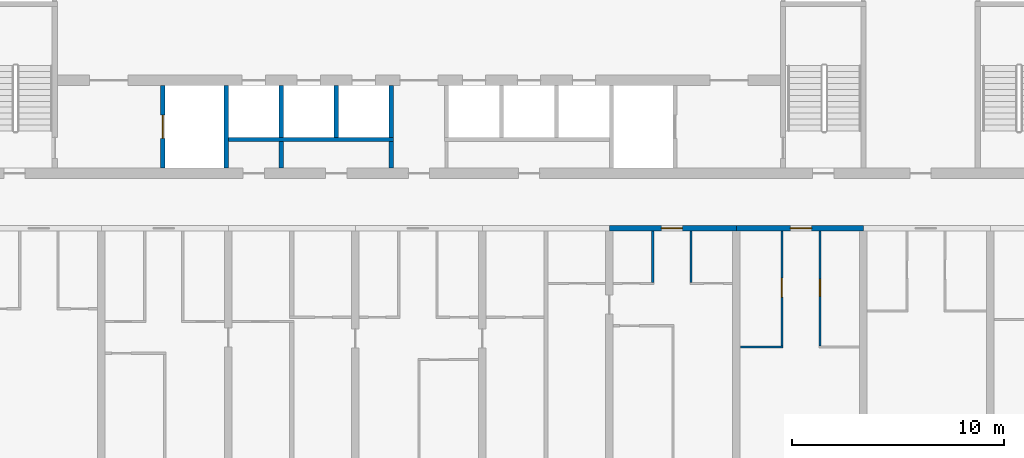
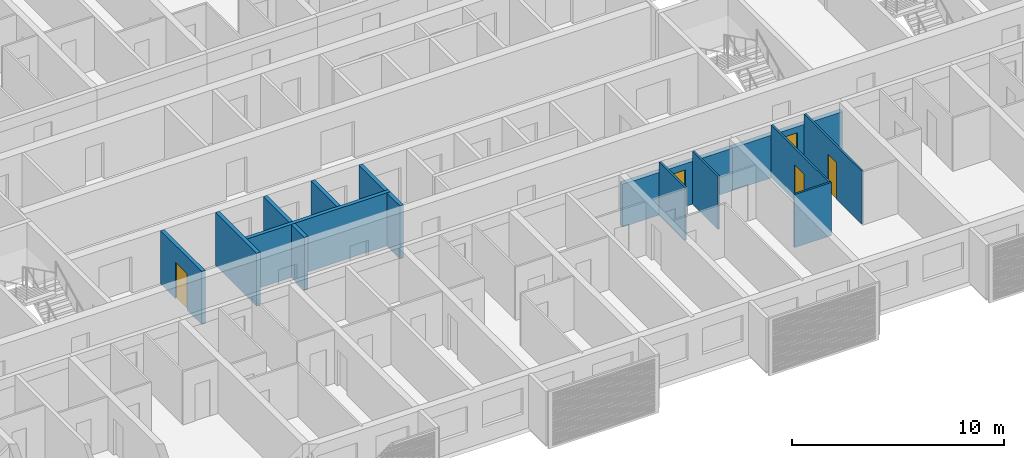
# One storey, part 6 of 27: 15 walls, 5 doors, 5 openings.
"""IFC4 building model written with IfcOpenShell, lengths in metres."""

from ifc_helpers import new_model, si_unit, direction, frame, frame_2d, origin, place, context, subcontext, project, spatial, rectangle, extrude, material, layer, layer_set, type_object, element, fill, save


model = new_model("IFC4")

# Units and contexts
model_context = context("Model", 3, precision=1e-05, world=origin(), true_north=direction((0.0, 1.0)))
body_context = subcontext(model_context, "Body", "Model", "MODEL_VIEW")
ifc_project = project(units=[si_unit("LENGTHUNIT", "METRE"), si_unit("AREAUNIT", "SQUARE_METRE"), si_unit("VOLUMEUNIT", "CUBIC_METRE"), si_unit("PLANEANGLEUNIT", "RADIAN"), si_unit("MASSUNIT", "GRAM", prefix="KILO")], contexts=[model_context])

# Site, building, storey
site_placement = place(None, origin())
site = spatial("IfcSite", under=ifc_project, at=site_placement, CompositionType="ELEMENT")
building_placement = place(site_placement, origin())
building = spatial("IfcBuilding", under=site, at=building_placement, Name="Poui Terraces", CompositionType="ELEMENT")
storey_placement = place(building_placement, frame((0.0, 0.0, 92.699951171875)))
storey = spatial("IfcBuildingStorey", under=building, at=storey_placement, Name="L25", CompositionType="ELEMENT", Elevation=92.699951171875)

# Wall, opening, door
ifc_material_1 = material(Name="Concrete 65 MPa", Category="concrete")
ifc_layer_1 = layer(ifc_material_1, 0.25)
ifc_layer_set_1 = layer_set([ifc_layer_1], Name="Concrete 65 MPa")
wall_type_1 = type_object("IfcWallType", Name="CORRIDOR WALL 250 65MPa", PredefinedType="SHEAR", material=ifc_layer_set_1)
wall_1_placement = place(storey_placement, frame((60.0, 12.0, 0.0), z_axis=(0.0, 0.0, 1.0), x_axis=(1.0, 0.0, 0.0)))
wall_1 = element("IfcWall", 1, at=wall_1_placement, inside=storey, type_object=wall_type_1, Name="CORRIDOR WALL LINE B BAY 10", PredefinedType="SHEAR", context=body_context, shape_type="SweptSolid", body=[
    extrude(rectangle(XDim=6.0, YDim=0.25, at=frame_2d((3.0, 0.0))), origin(), (0.0, 0.0, 1.0), 2.4599609375),
])
opening_1_placement = place(wall_1_placement, frame((2.449951171875, 0.0, 0.0)))
opening_1 = element("IfcOpeningElement", 2, at=opening_1_placement, cuts=wall_1, Name="Opening FD30S", PredefinedType="OPENING", context=body_context, shape_type="SweptSolid", body=[
    extrude(rectangle(XDim=1.0, YDim=2.10009765625, at=frame_2d((0.5, 1.050048828125))), frame((0.0, 0.135009765625, 0.0), z_axis=(0.0, -1.0, 0.0), x_axis=(1.0, 0.0, 0.0)), (0.0, 0.0, 1.0), 0.27001953125),
])
ifc_material_2 = material(Name="Steel fire door", Category="steel")
door_type_1 = type_object("IfcDoorType", Name="FLAT ENTRANCE DOOR 1000 X 2100", OperationType="NOTDEFINED", PredefinedType="DOOR", material=ifc_material_2)
door_1_placement = place(opening_1_placement, frame((1.0, 0.0, 0.0), z_axis=(0.0, 0.0, 1.0), x_axis=(-1.0, 0.0, 0.0)))
door_1 = element("IfcDoor", 3, at=door_1_placement, inside=storey, type_object=door_type_1, Name="FLAT ENTRANCE DOOR 116", OperationType="SINGLE_SWING_RIGHT", OverallHeight=2.10009765625, OverallWidth=1.0, PredefinedType="DOOR", context=body_context, shape_type="SweptSolid", body=[
    extrude(rectangle(XDim=1.0, YDim=2.10009765625, at=frame_2d((0.5, 1.050048828125))), frame((0.0, 0.02490234375, 0.0), z_axis=(0.0, -1.0, 0.0), x_axis=(1.0, 0.0, 0.0)), (0.0, 0.0, 1.0), 0.050048828125),
])
fill(opening_1, door_1)

wall_2_placement = place(storey_placement, frame((66.0, 12.0, 0.0), z_axis=(0.0, 0.0, 1.0), x_axis=(1.0, 0.0, 0.0)))
wall_2 = element("IfcWall", 4, at=wall_2_placement, inside=storey, type_object=wall_type_1, Name="CORRIDOR WALL LINE B BAY 11", PredefinedType="SHEAR", context=body_context, shape_type="SweptSolid", body=[
    extrude(rectangle(XDim=6.0, YDim=0.25, at=frame_2d((3.0, 0.0))), origin(), (0.0, 0.0, 1.0), 2.4599609375),
])
opening_2_placement = place(wall_2_placement, frame((2.550048828125, 0.0, 0.0)))
opening_2 = element("IfcOpeningElement", 5, at=opening_2_placement, cuts=wall_2, Name="Opening FD30S", PredefinedType="OPENING", context=body_context, shape_type="SweptSolid", body=[
    extrude(rectangle(XDim=1.0, YDim=2.10009765625, at=frame_2d((0.5, 1.050048828125))), frame((0.0, 0.135009765625, 0.0), z_axis=(0.0, -1.0, 0.0), x_axis=(1.0, 0.0, 0.0)), (0.0, 0.0, 1.0), 0.27001953125),
])
door_2_placement = place(opening_2_placement, frame((1.0, 0.0, 0.0), z_axis=(0.0, 0.0, 1.0), x_axis=(-1.0, 0.0, 0.0)))
door_2 = element("IfcDoor", 6, at=door_2_placement, inside=storey, type_object=door_type_1, Name="FLAT ENTRANCE DOOR 119", OperationType="SINGLE_SWING_LEFT", OverallHeight=2.10009765625, OverallWidth=1.0, PredefinedType="DOOR", context=body_context, shape_type="SweptSolid", body=[
    extrude(rectangle(XDim=1.0, YDim=2.10009765625, at=frame_2d((0.5, 1.050048828125))), frame((0.0, 0.02490234375, 0.0), z_axis=(0.0, -1.0, 0.0), x_axis=(1.0, 0.0, 0.0)), (0.0, 0.0, 1.0), 0.050048828125),
])
fill(opening_2, door_2)

# Walls
ifc_material_3 = material(Name="Plasterboard partition")
ifc_layer_2 = layer(ifc_material_3, 0.10009765625)
ifc_layer_set_2 = layer_set([ifc_layer_2], Name="Plasterboard partition")
wall_type_2 = type_object("IfcWallType", Name="FLAT PARTITION 100", PredefinedType="PARTITIONING", material=ifc_layer_set_2)
wall_3_placement = place(storey_placement, frame((66.18505859375, 6.39990234375, 0.0), z_axis=(0.0, 0.0, 1.0), x_axis=(1.0, 0.0, 0.0)))
element("IfcWall", 7, at=wall_3_placement, inside=storey, type_object=wall_type_2, Name="FLAT PARTITION 100", PredefinedType="PARTITIONING", context=body_context, shape_type="SweptSolid", body=[
    extrude(rectangle(XDim=2.014892578125, YDim=0.10009765625, at=frame_2d((1.00732421875, 0.0))), origin(), (0.0, 0.0, 1.0), 3.06005859375),
])
for number, where, z_axis, x_axis, name in (
    (8, (62.050048828125, 9.449951171875, 0.0), (0.0, 0.0, 1.0), (0.0, 1.0, 0.0), "FLAT PARTITION 100"),
    (9, (63.85009765625, 9.449951171875, 0.0), (0.0, 0.0, 1.0), (0.0, 1.0, 0.0), "FLAT PARTITION 100"),
):
    element("IfcWall", number, at=place(storey_placement, frame(where, z_axis=z_axis, x_axis=x_axis)), inside=storey, type_object=wall_type_2, Name=name, PredefinedType="PARTITIONING", context=body_context, shape_type="SweptSolid", body=[
        extrude(rectangle(XDim=2.4150390625, YDim=0.10009765625, at=frame_2d((1.20751953125, 0.0))), origin(), (0.0, 0.0, 1.0), 3.06005859375),
    ])

# Wall, opening, door
wall_4_placement = place(storey_placement, frame((68.14990234375, 6.449951171875, 0.0), z_axis=(0.0, 0.0, 1.0), x_axis=(0.0, 1.0, 0.0)))
wall_4 = element("IfcWall", 10, at=wall_4_placement, inside=storey, type_object=wall_type_2, Name="FLAT PARTITION 100", PredefinedType="PARTITIONING", context=body_context, shape_type="SweptSolid", body=[
    extrude(rectangle(XDim=5.4150390625, YDim=0.10009765625, at=frame_2d((2.70751953125, 0.0))), origin(), (0.0, 0.0, 1.0), 3.06005859375),
])
opening_3_placement = place(wall_4_placement, frame((2.300048828125, 0.0, 0.0)))
opening_3 = element("IfcOpeningElement", 11, at=opening_3_placement, cuts=wall_4, Name="Opening D90", PredefinedType="OPENING", context=body_context, shape_type="SweptSolid", body=[
    extrude(rectangle(XDim=0.89990234375, YDim=2.10009765625, at=frame_2d((0.449951171875, 1.050048828125))), frame((0.0, 0.06005859375, 0.0), z_axis=(0.0, -1.0, 0.0), x_axis=(1.0, 0.0, 0.0)), (0.0, 0.0, 1.0), 0.1201171875),
])
ifc_material_4 = material(Name="Solid core timber door", Category="wood")
door_type_2 = type_object("IfcDoorType", Name="INTERNAL DOOR 900 X 2100", OperationType="NOTDEFINED", PredefinedType="DOOR", material=ifc_material_4)
door_3_placement = place(opening_3_placement, origin())
door_3 = element("IfcDoor", 12, at=door_3_placement, inside=storey, type_object=door_type_2, Name="INTERNAL DOOR 118", OperationType="SINGLE_SWING_LEFT", OverallHeight=2.10009765625, OverallWidth=0.89990234375, PredefinedType="DOOR", context=body_context, shape_type="SweptSolid", body=[
    extrude(rectangle(XDim=0.89990234375, YDim=2.10009765625, at=frame_2d((0.449951171875, 1.050048828125))), frame((0.0, 0.02490234375, 0.0), z_axis=(0.0, -1.0, 0.0), x_axis=(1.0, 0.0, 0.0)), (0.0, 0.0, 1.0), 0.050048828125),
])
fill(opening_3, door_3)

wall_5_placement = place(storey_placement, frame((69.949951171875, 6.449951171875, 0.0), z_axis=(0.0, 0.0, 1.0), x_axis=(0.0, 1.0, 0.0)))
wall_5 = element("IfcWall", 13, at=wall_5_placement, inside=storey, type_object=wall_type_2, Name="FLAT PARTITION 100", PredefinedType="PARTITIONING", context=body_context, shape_type="SweptSolid", body=[
    extrude(rectangle(XDim=5.4150390625, YDim=0.10009765625, at=frame_2d((2.70751953125, 0.0))), origin(), (0.0, 0.0, 1.0), 3.06005859375),
])
opening_4_placement = place(wall_5_placement, frame((2.35009765625, 0.0, 0.0)))
opening_4 = element("IfcOpeningElement", 14, at=opening_4_placement, cuts=wall_5, Name="Opening D80", PredefinedType="OPENING", context=body_context, shape_type="SweptSolid", body=[
    extrude(rectangle(XDim=0.800048828125, YDim=2.10009765625, at=frame_2d((0.39990234375, 1.050048828125))), frame((0.0, 0.06005859375, 0.0), z_axis=(0.0, -1.0, 0.0), x_axis=(1.0, 0.0, 0.0)), (0.0, 0.0, 1.0), 0.1201171875),
])
door_type_3 = type_object("IfcDoorType", Name="BATHROOM, LAUNDRY AND STORE DOOR 800 X 2100", OperationType="NOTDEFINED", PredefinedType="DOOR", material=ifc_material_4)
door_4_placement = place(opening_4_placement, frame((0.800048828125, 0.0, 0.0), z_axis=(0.0, 0.0, 1.0), x_axis=(-1.0, 0.0, 0.0)))
door_4 = element("IfcDoor", 15, at=door_4_placement, inside=storey, type_object=door_type_3, Name="BATHROOM, LAUNDRY AND STORE DOOR 120", OperationType="SINGLE_SWING_LEFT", OverallHeight=2.10009765625, OverallWidth=0.800048828125, PredefinedType="DOOR", context=body_context, shape_type="SweptSolid", body=[
    extrude(rectangle(XDim=0.800048828125, YDim=2.10009765625, at=frame_2d((0.39990234375, 1.050048828125))), frame((0.0, 0.02490234375, 0.0), z_axis=(0.0, -1.0, 0.0), x_axis=(1.0, 0.0, 0.0)), (0.0, 0.0, 1.0), 0.050048828125),
])
fill(opening_4, door_4)

# Walls
ifc_material_5 = material(Name="Fire-rated masonry wall", Category="masonry")
ifc_layer_3 = layer(ifc_material_5, 0.199951171875)
ifc_layer_set_3 = layer_set([ifc_layer_3], Name="Fire-rated masonry wall")
wall_type_3 = type_object("IfcWallType", Name="PLANT ROOM WALL 200", PredefinedType="PARTITIONING", material=ifc_layer_set_3)
for number, where, z_axis, x_axis, name in (
    (16, (44.5, 14.860107421875, 0.0), (0.0, 0.0, 1.0), (0.0, 1.0, 0.0), "PLANT ROOM WALL 200"),
    (17, (49.699951171875, 14.860107421875, 0.0), (0.0, 0.0, 1.0), (0.0, 1.0, 0.0), "PLANT ROOM WALL 200"),
):
    element("IfcWall", number, at=place(storey_placement, frame(where, z_axis=z_axis, x_axis=x_axis)), inside=storey, type_object=wall_type_3, Name=name, PredefinedType="PARTITIONING", context=body_context, shape_type="SweptSolid", body=[
        extrude(rectangle(XDim=1.239990234375, YDim=0.199951171875, at=frame_2d((0.6201171875, 0.0))), origin(), (0.0, 0.0, 1.0), 3.06005859375),
    ])
ifc_material_6 = material(Name="Fire-rated masonry shaft wall", Category="masonry")
ifc_layer_4 = layer(ifc_material_6, 0.199951171875)
ifc_layer_set_4 = layer_set([ifc_layer_4], Name="Fire-rated masonry shaft wall")
wall_type_4 = type_object("IfcWallType", Name="SHAFT WALL 200", PredefinedType="PARTITIONING", material=ifc_layer_set_4)
wall_6_placement = place(storey_placement, frame((42.0, 16.199951171875, 0.0), z_axis=(0.0, 0.0, 1.0), x_axis=(1.0, 0.0, 0.0)))
element("IfcWall", 18, at=wall_6_placement, inside=storey, type_object=wall_type_4, Name="SHAFT WALL 200", PredefinedType="PARTITIONING", context=body_context, shape_type="SweptSolid", body=[
    extrude(rectangle(XDim=7.800048828125, YDim=0.199951171875, at=frame_2d((3.89990234375, 0.0))), origin(), (0.0, 0.0, 1.0), 3.06005859375),
])

# Wall, opening, door
wall_7_placement = place(storey_placement, frame((38.89990234375, 14.860107421875, 0.0), z_axis=(0.0, 0.0, 1.0), x_axis=(0.0, 1.0, 0.0)))
wall_7 = element("IfcWall", 19, at=wall_7_placement, inside=storey, type_object=wall_type_4, Name="SHAFT WALL 200", PredefinedType="PARTITIONING", context=body_context, shape_type="SweptSolid", body=[
    extrude(rectangle(XDim=3.8798828125, YDim=0.199951171875, at=frame_2d((1.93994140625, 0.0))), origin(), (0.0, 0.0, 1.0), 3.06005859375),
])
opening_5_placement = place(wall_7_placement, frame((1.389892578125, 0.0, 0.0)))
opening_5 = element("IfcOpeningElement", 20, at=opening_5_placement, cuts=wall_7, Name="Opening LD", PredefinedType="OPENING", context=body_context, shape_type="SweptSolid", body=[
    extrude(rectangle(XDim=1.10009765625, YDim=2.10009765625, at=frame_2d((0.550048828125, 1.050048828125))), frame((0.0, 0.10986328125, 0.0), z_axis=(0.0, -1.0, 0.0), x_axis=(1.0, 0.0, 0.0)), (0.0, 0.0, 1.0), 0.219970703125),
])
ifc_material_7 = material(Name="Stainless steel sliding door", Category="steel")
door_type_4 = type_object("IfcDoorType", Name="LIFT LANDING DOOR 1100 X 2100", OperationType="DOUBLE_DOOR_SLIDING", PredefinedType="DOOR", material=ifc_material_7)
door_5_placement = place(opening_5_placement, origin())
door_5 = element("IfcDoor", 21, at=door_5_placement, inside=storey, type_object=door_type_4, Name="LANDING DOOR", OperationType="DOUBLE_DOOR_SLIDING", OverallHeight=2.10009765625, OverallWidth=1.10009765625, PredefinedType="DOOR", context=body_context, shape_type="SweptSolid", body=[
    extrude(rectangle(XDim=1.10009765625, YDim=2.10009765625, at=frame_2d((0.550048828125, 1.050048828125))), frame((0.0, 0.02490234375, 0.0), z_axis=(0.0, -1.0, 0.0), x_axis=(1.0, 0.0, 0.0)), (0.0, 0.0, 1.0), 0.050048828125),
])
fill(opening_5, door_5)

# Walls
wall_8_placement = place(storey_placement, frame((41.89990234375, 14.860107421875, 0.0), z_axis=(0.0, 0.0, 1.0), x_axis=(0.0, 1.0, 0.0)))
element("IfcWall", 22, at=wall_8_placement, inside=storey, type_object=wall_type_4, Name="SHAFT WALL 200", PredefinedType="PARTITIONING", context=body_context, shape_type="SweptSolid", body=[
    extrude(rectangle(XDim=3.8798828125, YDim=0.199951171875, at=frame_2d((1.93994140625, 0.0))), origin(), (0.0, 0.0, 1.0), 3.06005859375),
])
for number, where, z_axis, x_axis, name in (
    (23, (44.5, 16.300048828125, 0.0), (0.0, 0.0, 1.0), (0.0, 1.0, 0.0), "SHAFT WALL 200"),
    (24, (47.10009765625, 16.300048828125, 0.0), (0.0, 0.0, 1.0), (0.0, 1.0, 0.0), "SHAFT WALL 200"),
    (25, (49.699951171875, 16.300048828125, 0.0), (0.0, 0.0, 1.0), (0.0, 1.0, 0.0), "SHAFT WALL 200"),
):
    element("IfcWall", number, at=place(storey_placement, frame(where, z_axis=z_axis, x_axis=x_axis)), inside=storey, type_object=wall_type_4, Name=name, PredefinedType="PARTITIONING", context=body_context, shape_type="SweptSolid", body=[
        extrude(rectangle(XDim=2.43994140625, YDim=0.199951171875, at=frame_2d((1.219970703125, 0.0))), origin(), (0.0, 0.0, 1.0), 3.06005859375),
    ])

save(model, "model.ifc")
